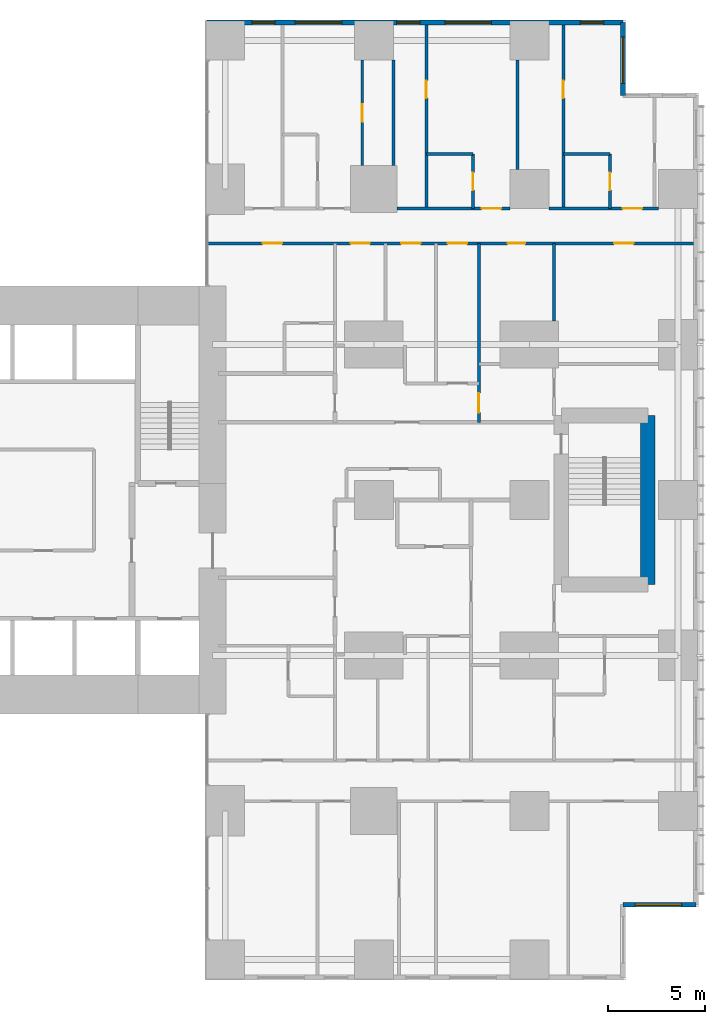
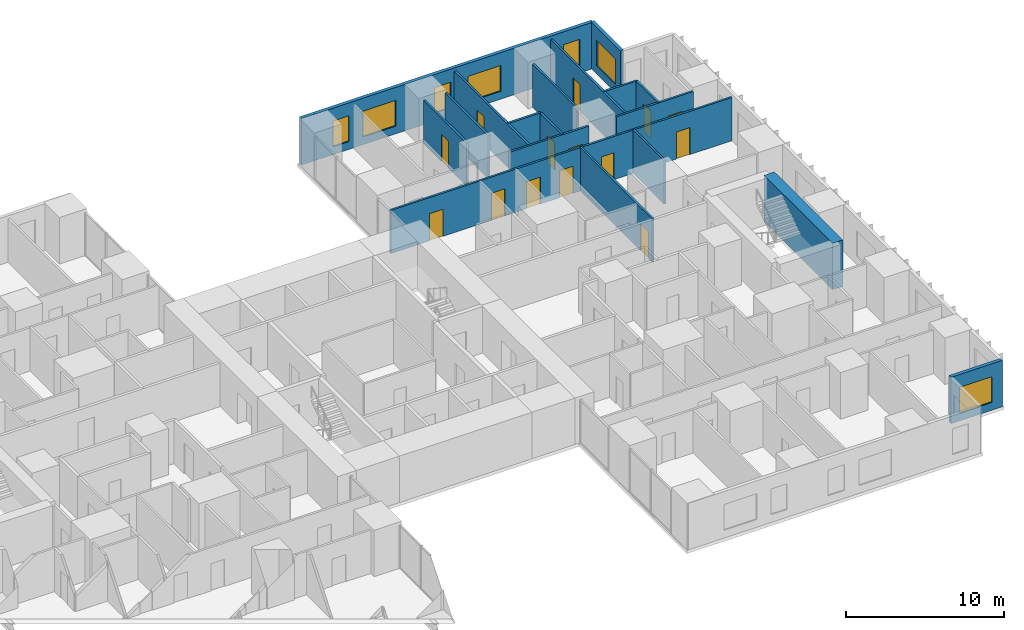
# One storey, part 18 of 20: 18 walls, 14 doors, 7 windows, 21 openings.
"""IFC4 building model written with IfcOpenShell, lengths in metres."""

from ifc_helpers import new_model, si_unit, direction, frame, frame_2d, origin, place, context, subcontext, project, spatial, rectangle, extrude, material, layer, layer_set, type_object, element, fill, save


model = new_model("IFC4")

# Units and contexts
model_context = context("Model", 3, precision=1e-05, world=origin(), true_north=direction((0.0, 1.0)))
body_context = subcontext(model_context, "Body", "Model", "MODEL_VIEW")
ifc_project = project(units=[si_unit("LENGTHUNIT", "METRE"), si_unit("AREAUNIT", "SQUARE_METRE"), si_unit("VOLUMEUNIT", "CUBIC_METRE"), si_unit("PLANEANGLEUNIT", "RADIAN"), si_unit("MASSUNIT", "GRAM", prefix="KILO")], contexts=[model_context])

# Site, building, storey
site_placement = place(None, origin())
site = spatial("IfcSite", under=ifc_project, at=site_placement, CompositionType="ELEMENT")
building_placement = place(site_placement, origin())
building = spatial("IfcBuilding", under=site, at=building_placement, Name="Cleftline Residences", CompositionType="ELEMENT")
storey_placement = place(building_placement, frame((0.0, 0.0, 62.0)))
storey = spatial("IfcBuildingStorey", under=building, at=storey_placement, Name="L15", CompositionType="ELEMENT", Elevation=62.0)

# Wall, opening, window
ifc_material_1 = material(Name="Rendered reinforced concrete blockwork", Category="masonry")
ifc_layer_1 = layer(ifc_material_1, 0.25)
ifc_layer_set_1 = layer_set([ifc_layer_1], Name="EXTERNAL WALL 250")
wall_type_1 = type_object("IfcWallType", Name="EXTERNAL WALL 250", PredefinedType="SOLIDWALL", material=ifc_layer_set_1)
wall_1_placement = place(storey_placement, frame((62.824951171875, 3.175048828125, 0.0), z_axis=(0.0, 0.0, 1.0), x_axis=(1.0, 0.0, 0.0)))
wall_1 = element("IfcWall", 1, at=wall_1_placement, inside=storey, type_object=wall_type_1, Name="External wall", PredefinedType="SOLIDWALL", context=body_context, shape_type="SweptSolid", body=[
    extrude(rectangle(XDim=3.75, YDim=0.25, at=frame_2d((1.875, 0.0))), origin(), (0.0, 0.0, 1.0), 3.60009765625),
])
opening_1_placement = place(wall_1_placement, frame((0.612548828125, 0.0, 0.60009765625)))
opening_1 = element("IfcOpeningElement", 2, at=opening_1_placement, cuts=wall_1, Name="Opening W6", PredefinedType="OPENING", context=body_context, shape_type="SweptSolid", body=[
    extrude(rectangle(XDim=2.39990234375, YDim=2.0, at=frame_2d((1.199951171875, 1.0))), frame((0.0, 0.135009765625, 0.0), z_axis=(0.0, -1.0, 0.0), x_axis=(1.0, 0.0, 0.0)), (0.0, 0.0, 1.0), 0.27001953125),
])
ifc_material_2 = material(Name="Aluminium frame, clear double glazing", Category="aluminium")
window_type_1 = type_object("IfcWindowType", Name="WINDOW 2400X2000", PartitioningType="DOUBLE_PANEL_VERTICAL", PredefinedType="WINDOW", material=ifc_material_2)
window_1_placement = place(opening_1_placement, origin())
window_1 = element("IfcWindow", 3, at=window_1_placement, inside=storey, type_object=window_type_1, Name="Window", OverallHeight=2.0, OverallWidth=2.39990234375, PartitioningType="SINGLE_PANEL", PredefinedType="WINDOW", context=body_context, shape_type="SweptSolid", body=[
    extrude(rectangle(XDim=2.39990234375, YDim=2.0, at=frame_2d((1.199951171875, 1.0))), frame((0.0, 0.030029296875, 0.0), z_axis=(0.0, -1.0, 0.0), x_axis=(1.0, 0.0, 0.0)), (0.0, 0.0, 1.0), 0.06005859375),
])
fill(opening_1, window_1)

wall_2_placement = place(storey_placement, frame((62.824951171875, 44.824951171875, 0.0), z_axis=(0.0, 0.0, 1.0), x_axis=(0.0, 1.0, 0.0)))
wall_2 = element("IfcWall", 4, at=wall_2_placement, inside=storey, type_object=wall_type_1, Name="External wall", PredefinedType="SOLIDWALL", context=body_context, shape_type="SweptSolid", body=[
    extrude(rectangle(XDim=3.75, YDim=0.25, at=frame_2d((1.875, 0.0))), origin(), (0.0, 0.0, 1.0), 3.60009765625),
])
opening_2_placement = place(wall_2_placement, frame((0.612548828125, 0.0, 0.60009765625)))
opening_2 = element("IfcOpeningElement", 5, at=opening_2_placement, cuts=wall_2, Name="Opening W6", PredefinedType="OPENING", context=body_context, shape_type="SweptSolid", body=[
    extrude(rectangle(XDim=2.39990234375, YDim=2.0, at=frame_2d((1.199951171875, 1.0))), frame((0.0, 0.135009765625, 0.0), z_axis=(0.0, -1.0, 0.0), x_axis=(1.0, 0.0, 0.0)), (0.0, 0.0, 1.0), 0.27001953125),
])
window_2_placement = place(opening_2_placement, origin())
window_2 = element("IfcWindow", 6, at=window_2_placement, inside=storey, type_object=window_type_1, Name="Window", OverallHeight=2.0, OverallWidth=2.39990234375, PartitioningType="SINGLE_PANEL", PredefinedType="WINDOW", context=body_context, shape_type="SweptSolid", body=[
    extrude(rectangle(XDim=2.39990234375, YDim=2.0, at=frame_2d((1.199951171875, 1.0))), frame((0.0, 0.030029296875, 0.0), z_axis=(0.0, -1.0, 0.0), x_axis=(1.0, 0.0, 0.0)), (0.0, 0.0, 1.0), 0.06005859375),
])
fill(opening_2, window_2)

# Wall, openings, windows
wall_3_placement = place(storey_placement, frame((62.824951171875, 48.574951171875, 0.0), z_axis=(0.0, 0.0, 1.0), x_axis=(-1.0, 0.0, 0.0)))
wall_3 = element("IfcWall", 7, at=wall_3_placement, inside=storey, type_object=wall_type_1, Name="External wall", PredefinedType="SOLIDWALL", context=body_context, shape_type="SweptSolid", body=[
    extrude(rectangle(XDim=21.39990234375, YDim=0.25, at=frame_2d((10.699951171875, 0.0))), origin(), (0.0, 0.0, 1.0), 3.60009765625),
])
opening_3_placement = place(wall_3_placement, frame((1.0, 0.0, 0.60009765625)))
opening_3 = element("IfcOpeningElement", 8, at=opening_3_placement, cuts=wall_3, Name="Opening W8", PredefinedType="OPENING", context=body_context, shape_type="SweptSolid", body=[
    extrude(rectangle(XDim=1.199951171875, YDim=2.0, at=frame_2d((0.60009765625, 1.0))), frame((0.0, 0.135009765625, 0.0), z_axis=(0.0, -1.0, 0.0), x_axis=(1.0, 0.0, 0.0)), (0.0, 0.0, 1.0), 0.27001953125),
])
opening_4_placement = place(wall_3_placement, frame((6.77490234375, 0.0, 0.60009765625)))
opening_4 = element("IfcOpeningElement", 9, at=opening_4_placement, cuts=wall_3, Name="Opening W6", PredefinedType="OPENING", context=body_context, shape_type="SweptSolid", body=[
    extrude(rectangle(XDim=2.39990234375, YDim=2.0, at=frame_2d((1.199951171875, 1.0))), frame((0.0, 0.135009765625, 0.0), z_axis=(0.0, -1.0, 0.0), x_axis=(1.0, 0.0, 0.0)), (0.0, 0.0, 1.0), 0.27001953125),
])
opening_5_placement = place(wall_3_placement, frame((10.449951171875, 0.0, 0.60009765625)))
opening_5 = element("IfcOpeningElement", 10, at=opening_5_placement, cuts=wall_3, Name="Opening W8", PredefinedType="OPENING", context=body_context, shape_type="SweptSolid", body=[
    extrude(rectangle(XDim=1.199951171875, YDim=2.0, at=frame_2d((0.60009765625, 1.0))), frame((0.0, 0.135009765625, 0.0), z_axis=(0.0, -1.0, 0.0), x_axis=(1.0, 0.0, 0.0)), (0.0, 0.0, 1.0), 0.27001953125),
])
opening_6_placement = place(wall_3_placement, frame((14.47509765625, 0.0, 0.60009765625)))
opening_6 = element("IfcOpeningElement", 11, at=opening_6_placement, cuts=wall_3, Name="Opening W6", PredefinedType="OPENING", context=body_context, shape_type="SweptSolid", body=[
    extrude(rectangle(XDim=2.39990234375, YDim=2.0, at=frame_2d((1.199951171875, 1.0))), frame((0.0, 0.135009765625, 0.0), z_axis=(0.0, -1.0, 0.0), x_axis=(1.0, 0.0, 0.0)), (0.0, 0.0, 1.0), 0.27001953125),
])
opening_7_placement = place(wall_3_placement, frame((17.89990234375, 0.0, 0.60009765625)))
opening_7 = element("IfcOpeningElement", 12, at=opening_7_placement, cuts=wall_3, Name="Opening W8", PredefinedType="OPENING", context=body_context, shape_type="SweptSolid", body=[
    extrude(rectangle(XDim=1.199951171875, YDim=2.0, at=frame_2d((0.60009765625, 1.0))), frame((0.0, 0.135009765625, 0.0), z_axis=(0.0, -1.0, 0.0), x_axis=(1.0, 0.0, 0.0)), (0.0, 0.0, 1.0), 0.27001953125),
])
ifc_material_3 = material(Name="Aluminium frame, clear double glazing", Category="aluminium")
window_type_2 = type_object("IfcWindowType", Name="WINDOW 1200X2000", PartitioningType="DOUBLE_PANEL_VERTICAL", PredefinedType="WINDOW", material=ifc_material_3)
window_3_placement = place(opening_3_placement, origin())
window_3 = element("IfcWindow", 13, at=window_3_placement, inside=storey, type_object=window_type_2, Name="Window", OverallHeight=2.0, OverallWidth=1.199951171875, PartitioningType="SINGLE_PANEL", PredefinedType="WINDOW", context=body_context, shape_type="SweptSolid", body=[
    extrude(rectangle(XDim=1.199951171875, YDim=2.0, at=frame_2d((0.60009765625, 1.0))), frame((0.0, 0.030029296875, 0.0), z_axis=(0.0, -1.0, 0.0), x_axis=(1.0, 0.0, 0.0)), (0.0, 0.0, 1.0), 0.06005859375),
])
fill(opening_3, window_3)
window_4_placement = place(opening_5_placement, origin())
window_4 = element("IfcWindow", 14, at=window_4_placement, inside=storey, type_object=window_type_2, Name="Window", OverallHeight=2.0, OverallWidth=1.199951171875, PartitioningType="SINGLE_PANEL", PredefinedType="WINDOW", context=body_context, shape_type="SweptSolid", body=[
    extrude(rectangle(XDim=1.199951171875, YDim=2.0, at=frame_2d((0.60009765625, 1.0))), frame((0.0, 0.030029296875, 0.0), z_axis=(0.0, -1.0, 0.0), x_axis=(1.0, 0.0, 0.0)), (0.0, 0.0, 1.0), 0.06005859375),
])
fill(opening_5, window_4)
window_5_placement = place(opening_7_placement, origin())
window_5 = element("IfcWindow", 15, at=window_5_placement, inside=storey, type_object=window_type_2, Name="Window", OverallHeight=2.0, OverallWidth=1.199951171875, PartitioningType="SINGLE_PANEL", PredefinedType="WINDOW", context=body_context, shape_type="SweptSolid", body=[
    extrude(rectangle(XDim=1.199951171875, YDim=2.0, at=frame_2d((0.60009765625, 1.0))), frame((0.0, 0.030029296875, 0.0), z_axis=(0.0, -1.0, 0.0), x_axis=(1.0, 0.0, 0.0)), (0.0, 0.0, 1.0), 0.06005859375),
])
fill(opening_7, window_5)
window_6_placement = place(opening_4_placement, origin())
window_6 = element("IfcWindow", 16, at=window_6_placement, inside=storey, type_object=window_type_1, Name="Window", OverallHeight=2.0, OverallWidth=2.39990234375, PartitioningType="SINGLE_PANEL", PredefinedType="WINDOW", context=body_context, shape_type="SweptSolid", body=[
    extrude(rectangle(XDim=2.39990234375, YDim=2.0, at=frame_2d((1.199951171875, 1.0))), frame((0.0, 0.030029296875, 0.0), z_axis=(0.0, -1.0, 0.0), x_axis=(1.0, 0.0, 0.0)), (0.0, 0.0, 1.0), 0.06005859375),
])
fill(opening_4, window_6)
window_7_placement = place(opening_6_placement, origin())
window_7 = element("IfcWindow", 17, at=window_7_placement, inside=storey, type_object=window_type_1, Name="Window", OverallHeight=2.0, OverallWidth=2.39990234375, PartitioningType="SINGLE_PANEL", PredefinedType="WINDOW", context=body_context, shape_type="SweptSolid", body=[
    extrude(rectangle(XDim=2.39990234375, YDim=2.0, at=frame_2d((1.199951171875, 1.0))), frame((0.0, 0.030029296875, 0.0), z_axis=(0.0, -1.0, 0.0), x_axis=(1.0, 0.0, 0.0)), (0.0, 0.0, 1.0), 0.06005859375),
])
fill(opening_6, window_7)

# Wall, openings, doors
ifc_material_4 = material(Name="Gypsum board on steel studs", Category="steel")
ifc_layer_2 = layer(ifc_material_4, 0.14990234375)
ifc_layer_set_2 = layer_set([ifc_layer_2], Name="PARTITION 150")
wall_type_2 = type_object("IfcWallType", Name="PARTITION 150", PredefinedType="PARTITIONING", material=ifc_layer_set_2)
wall_4_placement = place(storey_placement, frame((41.43896484375, 37.199951171875, 0.0), z_axis=(0.0, 0.0, 1.0), x_axis=(1.0, 0.0, 0.0)))
wall_4 = element("IfcWall", 18, at=wall_4_placement, inside=storey, type_object=wall_type_2, Name="Partition", PredefinedType="PARTITIONING", context=body_context, shape_type="SweptSolid", body=[
    extrude(rectangle(XDim=25.010986328125, YDim=0.14990234375, at=frame_2d((12.50537109375, 0.0))), origin(), (0.0, 0.0, 1.0), 3.35009765625),
])
opening_8_placement = place(wall_4_placement, frame((12.361083984375, 0.0, 0.0)))
opening_8 = element("IfcOpeningElement", 19, at=opening_8_placement, cuts=wall_4, Name="Opening D2", PredefinedType="OPENING", context=body_context, shape_type="SweptSolid", body=[
    extrude(rectangle(XDim=1.0, YDim=2.10009765625, at=frame_2d((0.5, 1.050048828125))), frame((0.0, 0.0849609375, 0.0), z_axis=(0.0, -1.0, 0.0), x_axis=(1.0, 0.0, 0.0)), (0.0, 0.0, 1.0), 0.169921875),
])
opening_9_placement = place(wall_4_placement, frame((20.923583984375, 0.0, 0.0)))
opening_9 = element("IfcOpeningElement", 20, at=opening_9_placement, cuts=wall_4, Name="Opening D2", PredefinedType="OPENING", context=body_context, shape_type="SweptSolid", body=[
    extrude(rectangle(XDim=1.0, YDim=2.10009765625, at=frame_2d((0.5, 1.050048828125))), frame((0.0, 0.0849609375, 0.0), z_axis=(0.0, -1.0, 0.0), x_axis=(1.0, 0.0, 0.0)), (0.0, 0.0, 1.0), 0.169921875),
])
opening_10_placement = place(wall_4_placement, frame((15.448486328125, 0.0, 0.0)))
opening_10 = element("IfcOpeningElement", 21, at=opening_10_placement, cuts=wall_4, Name="Opening D1", PredefinedType="OPENING", context=body_context, shape_type="SweptSolid", body=[
    extrude(rectangle(XDim=0.89990234375, YDim=2.10009765625, at=frame_2d((0.449951171875, 1.050048828125))), frame((0.0, 0.0849609375, 0.0), z_axis=(0.0, -1.0, 0.0), x_axis=(1.0, 0.0, 0.0)), (0.0, 0.0, 1.0), 0.169921875),
])
opening_11_placement = place(wall_4_placement, frame((9.9609375, 0.0, 0.0)))
opening_11 = element("IfcOpeningElement", 22, at=opening_11_placement, cuts=wall_4, Name="Opening D2", PredefinedType="OPENING", context=body_context, shape_type="SweptSolid", body=[
    extrude(rectangle(XDim=1.0, YDim=2.10009765625, at=frame_2d((0.5, 1.050048828125))), frame((0.0, 0.0849609375, 0.0), z_axis=(0.0, -1.0, 0.0), x_axis=(1.0, 0.0, 0.0)), (0.0, 0.0, 1.0), 0.169921875),
])
opening_12_placement = place(wall_4_placement, frame((7.361083984375, 0.0, 0.0)))
opening_12 = element("IfcOpeningElement", 23, at=opening_12_placement, cuts=wall_4, Name="Opening D2", PredefinedType="OPENING", context=body_context, shape_type="SweptSolid", body=[
    extrude(rectangle(XDim=1.0, YDim=2.10009765625, at=frame_2d((0.5, 1.050048828125))), frame((0.0, 0.0849609375, 0.0), z_axis=(0.0, -1.0, 0.0), x_axis=(1.0, 0.0, 0.0)), (0.0, 0.0, 1.0), 0.169921875),
])
opening_13_placement = place(wall_4_placement, frame((2.8359375, 0.0, 0.0)))
opening_13 = element("IfcOpeningElement", 24, at=opening_13_placement, cuts=wall_4, Name="Opening D2", PredefinedType="OPENING", context=body_context, shape_type="SweptSolid", body=[
    extrude(rectangle(XDim=1.0, YDim=2.10009765625, at=frame_2d((0.5, 1.050048828125))), frame((0.0, 0.0849609375, 0.0), z_axis=(0.0, -1.0, 0.0), x_axis=(1.0, 0.0, 0.0)), (0.0, 0.0, 1.0), 0.169921875),
])
ifc_material_5 = material(Name="Timber veneer on solid core", Category="wood")
door_type_1 = type_object("IfcDoorType", Name="DOOR 1000X2100", OperationType="SINGLE_SWING_LEFT", PredefinedType="DOOR", material=ifc_material_5)
door_1_placement = place(opening_8_placement, origin())
door_1 = element("IfcDoor", 25, at=door_1_placement, inside=storey, type_object=door_type_1, Name="Door to residence hall", OperationType="SINGLE_SWING_LEFT", OverallHeight=2.10009765625, OverallWidth=1.0, PredefinedType="DOOR", context=body_context, shape_type="SweptSolid", body=[
    extrude(rectangle(XDim=1.0, YDim=2.10009765625, at=frame_2d((0.5, 1.050048828125))), frame((0.0, 0.02490234375, 0.0), z_axis=(0.0, -1.0, 0.0), x_axis=(1.0, 0.0, 0.0)), (0.0, 0.0, 1.0), 0.050048828125),
])
fill(opening_8, door_1)
door_2_placement = place(opening_9_placement, origin())
door_2 = element("IfcDoor", 26, at=door_2_placement, inside=storey, type_object=door_type_1, Name="Door to sea-view living and dining room", OperationType="SINGLE_SWING_LEFT", OverallHeight=2.10009765625, OverallWidth=1.0, PredefinedType="DOOR", context=body_context, shape_type="SweptSolid", body=[
    extrude(rectangle(XDim=1.0, YDim=2.10009765625, at=frame_2d((0.5, 1.050048828125))), frame((0.0, 0.02490234375, 0.0), z_axis=(0.0, -1.0, 0.0), x_axis=(1.0, 0.0, 0.0)), (0.0, 0.0, 1.0), 0.050048828125),
])
fill(opening_9, door_2)
door_3_placement = place(opening_11_placement, origin())
door_3 = element("IfcDoor", 27, at=door_3_placement, inside=storey, type_object=door_type_1, Name="Door to show kitchen", OperationType="SINGLE_SWING_RIGHT", OverallHeight=2.10009765625, OverallWidth=1.0, PredefinedType="DOOR", context=body_context, shape_type="SweptSolid", body=[
    extrude(rectangle(XDim=1.0, YDim=2.10009765625, at=frame_2d((0.5, 1.050048828125))), frame((0.0, 0.02490234375, 0.0), z_axis=(0.0, -1.0, 0.0), x_axis=(1.0, 0.0, 0.0)), (0.0, 0.0, 1.0), 0.050048828125),
])
fill(opening_11, door_3)
door_4_placement = place(opening_12_placement, origin())
door_4 = element("IfcDoor", 28, at=door_4_placement, inside=storey, type_object=door_type_1, Name="Door to wet kitchen", OperationType="SINGLE_SWING_RIGHT", OverallHeight=2.10009765625, OverallWidth=1.0, PredefinedType="DOOR", context=body_context, shape_type="SweptSolid", body=[
    extrude(rectangle(XDim=1.0, YDim=2.10009765625, at=frame_2d((0.5, 1.050048828125))), frame((0.0, 0.02490234375, 0.0), z_axis=(0.0, -1.0, 0.0), x_axis=(1.0, 0.0, 0.0)), (0.0, 0.0, 1.0), 0.050048828125),
])
fill(opening_12, door_4)
door_5_placement = place(opening_13_placement, origin())
door_5 = element("IfcDoor", 29, at=door_5_placement, inside=storey, type_object=door_type_1, Name="Door to master bedroom", OperationType="SINGLE_SWING_RIGHT", OverallHeight=2.10009765625, OverallWidth=1.0, PredefinedType="DOOR", context=body_context, shape_type="SweptSolid", body=[
    extrude(rectangle(XDim=1.0, YDim=2.10009765625, at=frame_2d((0.5, 1.050048828125))), frame((0.0, 0.02490234375, 0.0), z_axis=(0.0, -1.0, 0.0), x_axis=(1.0, 0.0, 0.0)), (0.0, 0.0, 1.0), 0.050048828125),
])
fill(opening_13, door_5)
ifc_material_6 = material(Name="Timber veneer on solid core", Category="wood")
door_type_2 = type_object("IfcDoorType", Name="DOOR 900X2100", OperationType="SINGLE_SWING_LEFT", PredefinedType="DOOR", material=ifc_material_6)
door_6_placement = place(opening_10_placement, origin())
door_6 = element("IfcDoor", 30, at=door_6_placement, inside=storey, type_object=door_type_2, Name="Door to store room", OperationType="SINGLE_SWING_LEFT", OverallHeight=2.10009765625, OverallWidth=0.89990234375, PredefinedType="DOOR", context=body_context, shape_type="SweptSolid", body=[
    extrude(rectangle(XDim=0.89990234375, YDim=2.10009765625, at=frame_2d((0.449951171875, 1.050048828125))), frame((0.0, 0.02490234375, 0.0), z_axis=(0.0, -1.0, 0.0), x_axis=(1.0, 0.0, 0.0)), (0.0, 0.0, 1.0), 0.050048828125),
])
fill(opening_10, door_6)

# Wall, opening, door
wall_5_placement = place(storey_placement, frame((51.199951171875, 39.0, 0.0), z_axis=(0.0, 0.0, 1.0), x_axis=(1.0, 0.0, 0.0)))
wall_5 = element("IfcWall", 31, at=wall_5_placement, inside=storey, type_object=wall_type_2, Name="Partition", PredefinedType="PARTITIONING", context=body_context, shape_type="SweptSolid", body=[
    extrude(rectangle(XDim=5.800048828125, YDim=0.14990234375, at=frame_2d((2.89990234375, 0.0))), origin(), (0.0, 0.0, 1.0), 3.35009765625),
])
opening_14_placement = place(wall_5_placement, frame((4.35009765625, 0.0, 0.0)))
opening_14 = element("IfcOpeningElement", 32, at=opening_14_placement, cuts=wall_5, Name="Opening D2", PredefinedType="OPENING", context=body_context, shape_type="SweptSolid", body=[
    extrude(rectangle(XDim=1.0, YDim=2.10009765625, at=frame_2d((0.5, 1.050048828125))), frame((0.0, 0.0849609375, 0.0), z_axis=(0.0, -1.0, 0.0), x_axis=(1.0, 0.0, 0.0)), (0.0, 0.0, 1.0), 0.169921875),
])
door_7_placement = place(opening_14_placement, origin())
door_7 = element("IfcDoor", 33, at=door_7_placement, inside=storey, type_object=door_type_1, Name="Door to bedroom 3", OperationType="SINGLE_SWING_LEFT", OverallHeight=2.10009765625, OverallWidth=1.0, PredefinedType="DOOR", context=body_context, shape_type="SweptSolid", body=[
    extrude(rectangle(XDim=1.0, YDim=2.10009765625, at=frame_2d((0.5, 1.050048828125))), frame((0.0, 0.02490234375, 0.0), z_axis=(0.0, -1.0, 0.0), x_axis=(1.0, 0.0, 0.0)), (0.0, 0.0, 1.0), 0.050048828125),
])
fill(opening_14, door_7)

wall_6_placement = place(storey_placement, frame((59.0, 39.0, 0.0), z_axis=(0.0, 0.0, 1.0), x_axis=(1.0, 0.0, 0.0)))
wall_6 = element("IfcWall", 34, at=wall_6_placement, inside=storey, type_object=wall_type_2, Name="Partition", PredefinedType="PARTITIONING", context=body_context, shape_type="SweptSolid", body=[
    extrude(rectangle(XDim=5.64990234375, YDim=0.14990234375, at=frame_2d((2.824951171875, 0.0))), origin(), (0.0, 0.0, 1.0), 3.35009765625),
])
opening_15_placement = place(wall_6_placement, frame((3.800048828125, 0.0, 0.0)))
opening_15 = element("IfcOpeningElement", 35, at=opening_15_placement, cuts=wall_6, Name="Opening D2", PredefinedType="OPENING", context=body_context, shape_type="SweptSolid", body=[
    extrude(rectangle(XDim=1.0, YDim=2.10009765625, at=frame_2d((0.5, 1.050048828125))), frame((0.0, 0.0849609375, 0.0), z_axis=(0.0, -1.0, 0.0), x_axis=(1.0, 0.0, 0.0)), (0.0, 0.0, 1.0), 0.169921875),
])
door_8_placement = place(opening_15_placement, origin())
door_8 = element("IfcDoor", 36, at=door_8_placement, inside=storey, type_object=door_type_1, Name="Door to bedroom 2", OperationType="SINGLE_SWING_LEFT", OverallHeight=2.10009765625, OverallWidth=1.0, PredefinedType="DOOR", context=body_context, shape_type="SweptSolid", body=[
    extrude(rectangle(XDim=1.0, YDim=2.10009765625, at=frame_2d((0.5, 1.050048828125))), frame((0.0, 0.02490234375, 0.0), z_axis=(0.0, -1.0, 0.0), x_axis=(1.0, 0.0, 0.0)), (0.0, 0.0, 1.0), 0.050048828125),
])
fill(opening_15, door_8)

# Walls
wall_7_placement = place(storey_placement, frame((52.699951171875, 41.800048828125, 0.0), z_axis=(0.0, 0.0, 1.0), x_axis=(1.0, 0.0, 0.0)))
element("IfcWall", 37, at=wall_7_placement, inside=storey, type_object=wall_type_2, Name="Partition", PredefinedType="PARTITIONING", context=body_context, shape_type="SweptSolid", body=[
    extrude(rectangle(XDim=2.400146484375, YDim=0.14990234375, at=frame_2d((1.2001953125, 0.0))), origin(), (0.0, 0.0, 1.0), 3.35009765625),
])
wall_8_placement = place(storey_placement, frame((59.75, 41.800048828125, 0.0), z_axis=(0.0, 0.0, 1.0), x_axis=(1.0, 0.0, 0.0)))
element("IfcWall", 38, at=wall_8_placement, inside=storey, type_object=wall_type_2, Name="Partition", PredefinedType="PARTITIONING", context=body_context, shape_type="SweptSolid", body=[
    extrude(rectangle(XDim=2.39990234375, YDim=0.14990234375, at=frame_2d((1.199951171875, 0.0))), origin(), (0.0, 0.0, 1.0), 3.35009765625),
])

# Wall, opening, door
wall_9_placement = place(storey_placement, frame((49.39990234375, 41.199951171875, 0.0), z_axis=(0.0, 0.0, 1.0), x_axis=(0.0, 1.0, 0.0)))
wall_9 = element("IfcWall", 39, at=wall_9_placement, inside=storey, type_object=wall_type_2, Name="Partition", PredefinedType="PARTITIONING", context=body_context, shape_type="SweptSolid", body=[
    extrude(rectangle(XDim=5.449951171875, YDim=0.14990234375, at=frame_2d((2.72509765625, 0.0))), origin(), (0.0, 0.0, 1.0), 3.35009765625),
])
opening_16_placement = place(wall_9_placement, frame((2.27490234375, 0.0, 0.0)))
opening_16 = element("IfcOpeningElement", 40, at=opening_16_placement, cuts=wall_9, Name="Opening D1", PredefinedType="OPENING", context=body_context, shape_type="SweptSolid", body=[
    extrude(rectangle(XDim=0.89990234375, YDim=2.10009765625, at=frame_2d((0.449951171875, 1.050048828125))), frame((0.0, 0.0849609375, 0.0), z_axis=(0.0, -1.0, 0.0), x_axis=(1.0, 0.0, 0.0)), (0.0, 0.0, 1.0), 0.169921875),
])
door_9_placement = place(opening_16_placement, origin())
door_9 = element("IfcDoor", 41, at=door_9_placement, inside=storey, type_object=door_type_2, Name="Door to walk-in wardrobe", OperationType="SINGLE_SWING_LEFT", OverallHeight=2.10009765625, OverallWidth=0.89990234375, PredefinedType="DOOR", context=body_context, shape_type="SweptSolid", body=[
    extrude(rectangle(XDim=0.89990234375, YDim=2.10009765625, at=frame_2d((0.449951171875, 1.050048828125))), frame((0.0, 0.02490234375, 0.0), z_axis=(0.0, -1.0, 0.0), x_axis=(1.0, 0.0, 0.0)), (0.0, 0.0, 1.0), 0.050048828125),
])
fill(opening_16, door_9)

# Wall
wall_10_placement = place(storey_placement, frame((51.0, 41.199951171875, 0.0), z_axis=(0.0, 0.0, 1.0), x_axis=(0.0, 1.0, 0.0)))
element("IfcWall", 42, at=wall_10_placement, inside=storey, type_object=wall_type_2, Name="Partition", PredefinedType="PARTITIONING", context=body_context, shape_type="SweptSolid", body=[
    extrude(rectangle(XDim=5.449951171875, YDim=0.14990234375, at=frame_2d((2.72509765625, 0.0))), origin(), (0.0, 0.0, 1.0), 3.35009765625),
])

# Wall, opening, door
wall_11_placement = place(storey_placement, frame((52.699951171875, 39.0, 0.0), z_axis=(0.0, 0.0, 1.0), x_axis=(0.0, 1.0, 0.0)))
wall_11 = element("IfcWall", 43, at=wall_11_placement, inside=storey, type_object=wall_type_2, Name="Partition", PredefinedType="PARTITIONING", context=body_context, shape_type="SweptSolid", body=[
    extrude(rectangle(XDim=9.449951171875, YDim=0.14990234375, at=frame_2d((4.72509765625, 0.0))), origin(), (0.0, 0.0, 1.0), 3.35009765625),
])
opening_17_placement = place(wall_11_placement, frame((5.675048828125, 0.0, 0.0)))
opening_17 = element("IfcOpeningElement", 44, at=opening_17_placement, cuts=wall_11, Name="Opening D1", PredefinedType="OPENING", context=body_context, shape_type="SweptSolid", body=[
    extrude(rectangle(XDim=0.89990234375, YDim=2.10009765625, at=frame_2d((0.449951171875, 1.050048828125))), frame((0.0, 0.0849609375, 0.0), z_axis=(0.0, -1.0, 0.0), x_axis=(1.0, 0.0, 0.0)), (0.0, 0.0, 1.0), 0.169921875),
])
door_10_placement = place(opening_17_placement, origin())
door_10 = element("IfcDoor", 45, at=door_10_placement, inside=storey, type_object=door_type_2, Name="Door to walk-in wardrobe", OperationType="SINGLE_SWING_LEFT", OverallHeight=2.10009765625, OverallWidth=0.89990234375, PredefinedType="DOOR", context=body_context, shape_type="SweptSolid", body=[
    extrude(rectangle(XDim=0.89990234375, YDim=2.10009765625, at=frame_2d((0.449951171875, 1.050048828125))), frame((0.0, 0.02490234375, 0.0), z_axis=(0.0, -1.0, 0.0), x_axis=(1.0, 0.0, 0.0)), (0.0, 0.0, 1.0), 0.050048828125),
])
fill(opening_17, door_10)

wall_12_placement = place(storey_placement, frame((55.10009765625, 39.0, 0.0), z_axis=(0.0, 0.0, 1.0), x_axis=(0.0, 1.0, 0.0)))
wall_12 = element("IfcWall", 46, at=wall_12_placement, inside=storey, type_object=wall_type_2, Name="Partition", PredefinedType="PARTITIONING", context=body_context, shape_type="SweptSolid", body=[
    extrude(rectangle(XDim=2.800048828125, YDim=0.14990234375, at=frame_2d((1.39990234375, 0.0))), origin(), (0.0, 0.0, 1.0), 3.35009765625),
])
opening_18_placement = place(wall_12_placement, frame((0.949951171875, 0.0, 0.0)))
opening_18 = element("IfcOpeningElement", 47, at=opening_18_placement, cuts=wall_12, Name="Opening D1", PredefinedType="OPENING", context=body_context, shape_type="SweptSolid", body=[
    extrude(rectangle(XDim=0.89990234375, YDim=2.10009765625, at=frame_2d((0.449951171875, 1.050048828125))), frame((0.0, 0.0849609375, 0.0), z_axis=(0.0, -1.0, 0.0), x_axis=(1.0, 0.0, 0.0)), (0.0, 0.0, 1.0), 0.169921875),
])
door_11_placement = place(opening_18_placement, origin())
door_11 = element("IfcDoor", 48, at=door_11_placement, inside=storey, type_object=door_type_2, Name="Door to en-suite bathroom 3", OperationType="SINGLE_SWING_LEFT", OverallHeight=2.10009765625, OverallWidth=0.89990234375, PredefinedType="DOOR", context=body_context, shape_type="SweptSolid", body=[
    extrude(rectangle(XDim=0.89990234375, YDim=2.10009765625, at=frame_2d((0.449951171875, 1.050048828125))), frame((0.0, 0.02490234375, 0.0), z_axis=(0.0, -1.0, 0.0), x_axis=(1.0, 0.0, 0.0)), (0.0, 0.0, 1.0), 0.050048828125),
])
fill(opening_18, door_11)

wall_13_placement = place(storey_placement, frame((55.39990234375, 28.0, 0.0), z_axis=(0.0, 0.0, 1.0), x_axis=(0.0, 1.0, 0.0)))
wall_13 = element("IfcWall", 49, at=wall_13_placement, inside=storey, type_object=wall_type_2, Name="Partition", PredefinedType="PARTITIONING", context=body_context, shape_type="SweptSolid", body=[
    extrude(rectangle(XDim=9.199951171875, YDim=0.14990234375, at=frame_2d((4.60009765625, 0.0))), origin(), (0.0, 0.0, 1.0), 3.35009765625),
])
opening_19_placement = place(wall_13_placement, frame((0.5, 0.0, 0.0)))
opening_19 = element("IfcOpeningElement", 50, at=opening_19_placement, cuts=wall_13, Name="Opening D2F30", PredefinedType="OPENING", context=body_context, shape_type="SweptSolid", body=[
    extrude(rectangle(XDim=1.0, YDim=2.10009765625, at=frame_2d((0.5, 1.050048828125))), frame((0.0, 0.0849609375, 0.0), z_axis=(0.0, -1.0, 0.0), x_axis=(1.0, 0.0, 0.0)), (0.0, 0.0, 1.0), 0.169921875),
])
ifc_material_7 = material(Name="Timber veneer on solid core", Category="wood")
door_type_3 = type_object("IfcDoorType", Name="DOOR 1000X2100 EI 30", OperationType="SINGLE_SWING_LEFT", PredefinedType="DOOR", material=ifc_material_7)
door_12_placement = place(opening_19_placement, origin())
door_12 = element("IfcDoor", 51, at=door_12_placement, inside=storey, type_object=door_type_3, Name="Door to residence lobby (service)", OperationType="SINGLE_SWING_RIGHT", OverallHeight=2.10009765625, OverallWidth=1.0, PredefinedType="DOOR", context=body_context, shape_type="SweptSolid", body=[
    extrude(rectangle(XDim=1.0, YDim=2.10009765625, at=frame_2d((0.5, 1.050048828125))), frame((0.0, 0.02490234375, 0.0), z_axis=(0.0, -1.0, 0.0), x_axis=(1.0, 0.0, 0.0)), (0.0, 0.0, 1.0), 0.050048828125),
])
fill(opening_19, door_12)

# Walls
wall_14_placement = place(storey_placement, frame((57.39990234375, 41.0, 0.0), z_axis=(0.0, 0.0, 1.0), x_axis=(0.0, 1.0, 0.0)))
element("IfcWall", 52, at=wall_14_placement, inside=storey, type_object=wall_type_2, Name="Partition", PredefinedType="PARTITIONING", context=body_context, shape_type="SweptSolid", body=[
    extrude(rectangle(XDim=5.64990234375, YDim=0.14990234375, at=frame_2d((2.824951171875, 0.0))), origin(), (0.0, 0.0, 1.0), 3.35009765625),
])
wall_15_placement = place(storey_placement, frame((59.27490234375, 33.199951171875, 0.0), z_axis=(0.0, 0.0, 1.0), x_axis=(0.0, 1.0, 0.0)))
element("IfcWall", 53, at=wall_15_placement, inside=storey, type_object=wall_type_2, Name="Partition", PredefinedType="PARTITIONING", context=body_context, shape_type="SweptSolid", body=[
    extrude(rectangle(XDim=4.0, YDim=0.14990234375, at=frame_2d((2.0, 0.0))), origin(), (0.0, 0.0, 1.0), 3.35009765625),
])

# Wall, opening, door
wall_16_placement = place(storey_placement, frame((59.75, 39.0, 0.0), z_axis=(0.0, 0.0, 1.0), x_axis=(0.0, 1.0, 0.0)))
wall_16 = element("IfcWall", 54, at=wall_16_placement, inside=storey, type_object=wall_type_2, Name="Partition", PredefinedType="PARTITIONING", context=body_context, shape_type="SweptSolid", body=[
    extrude(rectangle(XDim=9.449951171875, YDim=0.14990234375, at=frame_2d((4.72509765625, 0.0))), origin(), (0.0, 0.0, 1.0), 3.35009765625),
])
opening_20_placement = place(wall_16_placement, frame((5.675048828125, 0.0, 0.0)))
opening_20 = element("IfcOpeningElement", 55, at=opening_20_placement, cuts=wall_16, Name="Opening D1", PredefinedType="OPENING", context=body_context, shape_type="SweptSolid", body=[
    extrude(rectangle(XDim=0.89990234375, YDim=2.10009765625, at=frame_2d((0.449951171875, 1.050048828125))), frame((0.0, 0.0849609375, 0.0), z_axis=(0.0, -1.0, 0.0), x_axis=(1.0, 0.0, 0.0)), (0.0, 0.0, 1.0), 0.169921875),
])
door_13_placement = place(opening_20_placement, origin())
door_13 = element("IfcDoor", 56, at=door_13_placement, inside=storey, type_object=door_type_2, Name="Door to walk-in wardrobe", OperationType="SINGLE_SWING_LEFT", OverallHeight=2.10009765625, OverallWidth=0.89990234375, PredefinedType="DOOR", context=body_context, shape_type="SweptSolid", body=[
    extrude(rectangle(XDim=0.89990234375, YDim=2.10009765625, at=frame_2d((0.449951171875, 1.050048828125))), frame((0.0, 0.02490234375, 0.0), z_axis=(0.0, -1.0, 0.0), x_axis=(1.0, 0.0, 0.0)), (0.0, 0.0, 1.0), 0.050048828125),
])
fill(opening_20, door_13)

wall_17_placement = place(storey_placement, frame((62.14990234375, 39.0, 0.0), z_axis=(0.0, 0.0, 1.0), x_axis=(0.0, 1.0, 0.0)))
wall_17 = element("IfcWall", 57, at=wall_17_placement, inside=storey, type_object=wall_type_2, Name="Partition", PredefinedType="PARTITIONING", context=body_context, shape_type="SweptSolid", body=[
    extrude(rectangle(XDim=2.800048828125, YDim=0.14990234375, at=frame_2d((1.39990234375, 0.0))), origin(), (0.0, 0.0, 1.0), 3.35009765625),
])
opening_21_placement = place(wall_17_placement, frame((0.949951171875, 0.0, 0.0)))
opening_21 = element("IfcOpeningElement", 58, at=opening_21_placement, cuts=wall_17, Name="Opening D1", PredefinedType="OPENING", context=body_context, shape_type="SweptSolid", body=[
    extrude(rectangle(XDim=0.89990234375, YDim=2.10009765625, at=frame_2d((0.449951171875, 1.050048828125))), frame((0.0, 0.0849609375, 0.0), z_axis=(0.0, -1.0, 0.0), x_axis=(1.0, 0.0, 0.0)), (0.0, 0.0, 1.0), 0.169921875),
])
door_14_placement = place(opening_21_placement, origin())
door_14 = element("IfcDoor", 59, at=door_14_placement, inside=storey, type_object=door_type_2, Name="Door to en-suite bathroom 2", OperationType="SINGLE_SWING_LEFT", OverallHeight=2.10009765625, OverallWidth=0.89990234375, PredefinedType="DOOR", context=body_context, shape_type="SweptSolid", body=[
    extrude(rectangle(XDim=0.89990234375, YDim=2.10009765625, at=frame_2d((0.449951171875, 1.050048828125))), frame((0.0, 0.02490234375, 0.0), z_axis=(0.0, -1.0, 0.0), x_axis=(1.0, 0.0, 0.0)), (0.0, 0.0, 1.0), 0.050048828125),
])
fill(opening_21, door_14)

# Wall
ifc_material_8 = material(Name="Concrete B70", Category="concrete")
ifc_layer_3 = layer(ifc_material_8, 0.75)
ifc_layer_set_3 = layer_set([ifc_layer_3], Name="SHEAR WALL 750")
wall_type_3 = type_object("IfcWallType", Name="SHEAR WALL 750", PredefinedType="SHEAR", material=ifc_layer_set_3)
wall_18_placement = place(storey_placement, frame((64.10009765625, 19.64990234375, 0.0), z_axis=(0.0, 0.0, 1.0), x_axis=(0.0, 1.0, 0.0)))
element("IfcWall", 60, at=wall_18_placement, inside=storey, type_object=wall_type_3, Name="Wing shear wall", PredefinedType="SHEAR", context=body_context, shape_type="SweptSolid", body=[
    extrude(rectangle(XDim=8.7001953125, YDim=0.75, at=frame_2d((4.35009765625, 0.0))), origin(), (0.0, 0.0, 1.0), 3.60009765625),
])

save(model, "model.ifc")
